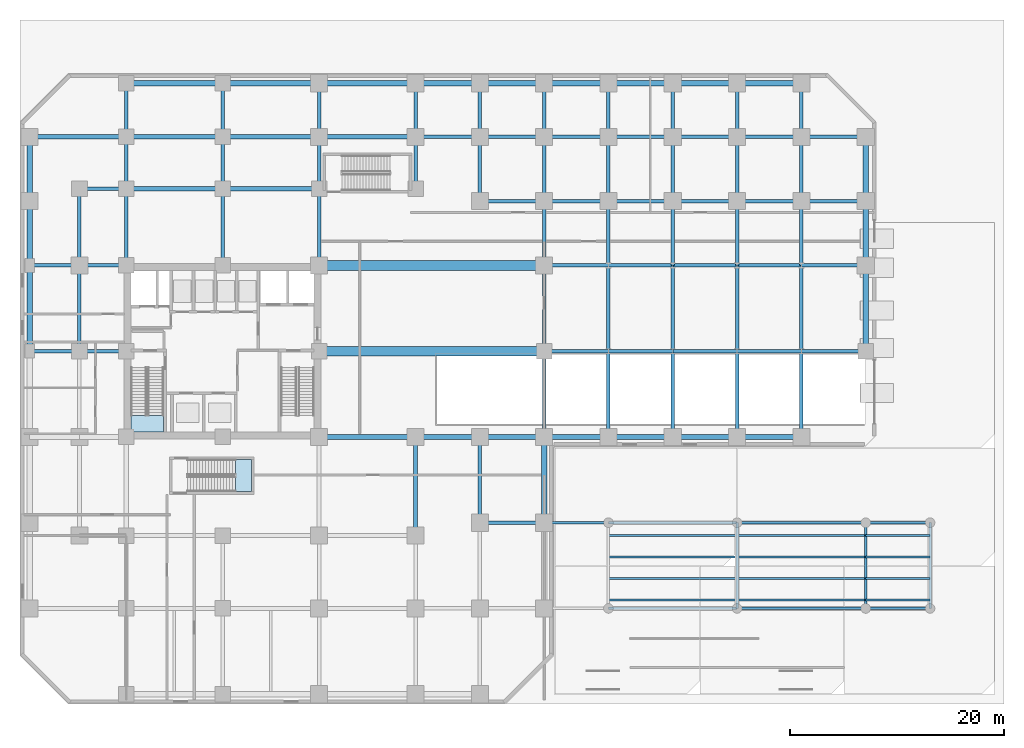
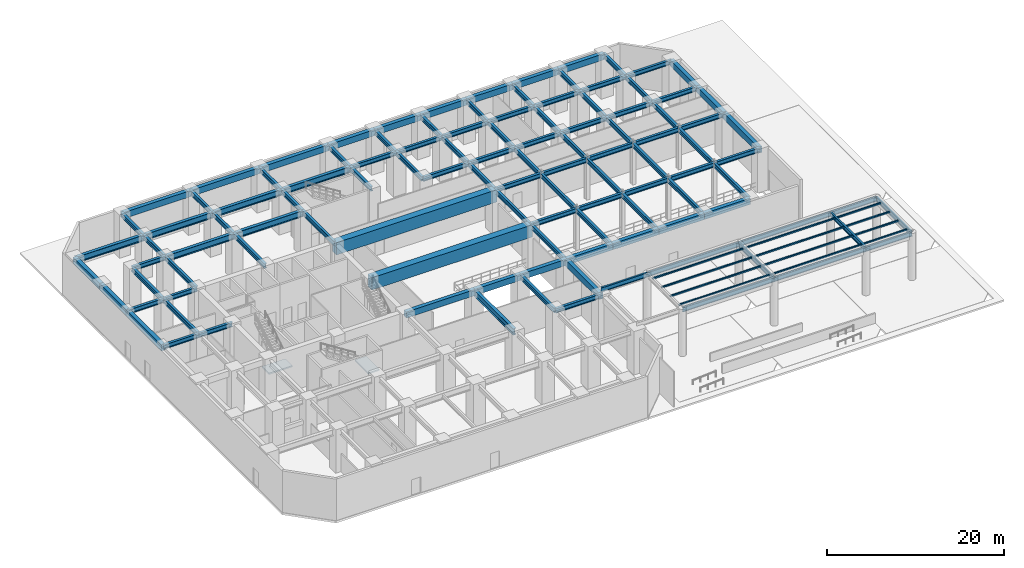
# One storey, part 2 of 13: 112 beams, 12 members, 2 slabs, 2 elements without a shape of their own.
"""IFC4 building model written with IfcOpenShell, lengths in metres."""

from ifc_helpers import new_model, si_unit, direction, frame, origin, origin_2d, place, context, subcontext, project, spatial, polyline, rectangle, hollow_rectangle, i_section, outline, extrude, source, transform, mapped, material, layer, layer_set, material_profile, profile_set, type_object, element, aggregate, save


model = new_model("IFC4")

# Units and contexts
model_context = context("Model", 3, precision=1e-05, world=origin(), true_north=direction((0.0, 1.0)))
body_context = subcontext(model_context, "Body", "Model", "MODEL_VIEW")
ifc_project = project(units=[si_unit("LENGTHUNIT", "METRE"), si_unit("AREAUNIT", "SQUARE_METRE"), si_unit("VOLUMEUNIT", "CUBIC_METRE"), si_unit("PLANEANGLEUNIT", "RADIAN"), si_unit("MASSUNIT", "GRAM", prefix="KILO")], contexts=[model_context])

# Site, building, storey
site_placement = place(None, origin())
site = spatial("IfcSite", under=ifc_project, at=site_placement, CompositionType="ELEMENT")
building_placement = place(site_placement, origin())
building = spatial("IfcBuilding", under=site, at=building_placement, Name="Torre Montelarca", CompositionType="ELEMENT")
storey_placement = place(building_placement, origin())
storey = spatial("IfcBuildingStorey", under=building, at=storey_placement, Name="L01", CompositionType="ELEMENT", Elevation=0.0)

# Beams
ifc_material_1 = material(Name="Steel ASTM A992 Grade 50", Category="steel")
ifc_material_profile_1 = material_profile(ifc_material_1, i_section(OverallWidth=0.22998046875, OverallDepth=0.616943359375, WebThickness=0.01318359375, FlangeThickness=0.022216796875, FilletRadius=0.014892578125, at=origin_2d()), Name="W610X140", Category="steel")
ifc_profile_set_1 = profile_set([ifc_material_profile_1], Name="Steel ASTM A992 Grade 50")
beam_type_1 = type_object("IfcBeamType", Name="BM-G-W610-EXT", PredefinedType="BEAM", material=ifc_profile_set_1)
shared_shape_1 = source(origin(), body_context, "Body", "SweptSolid", [
    extrude(i_section(OverallWidth=0.22998046875, OverallDepth=0.616943359375, WebThickness=0.01318359375, FlangeThickness=0.022216796875, FilletRadius=0.014892578125, at=origin_2d()), origin(), (0.0, 0.0, 1.0), 6.0),
])
for number, where, z_axis, x_axis, name in (
    (1, (78.0, 8.0, 6.19091796875), (1.0, 0.0, 0.0), (0.0, 1.0, 0.0), "L01 Grid Girder X 78.0-84.0 at Y=8.0"),
    (2, (48.0, 16.0, 6.19091796875), (1.0, 0.0, 0.0), (0.0, 1.0, 0.0), "L01 Grid Girder X 48.0-54.0 at Y=16.0"),
    (3, (78.0, 16.0, 6.19091796875), (1.0, 0.0, 0.0), (0.0, 1.0, 0.0), "L01 Grid Girder X 78.0-84.0 at Y=16.0"),
):
    element("IfcBeam", number, at=place(storey_placement, frame(where, z_axis=z_axis, x_axis=x_axis)), inside=storey, type_object=beam_type_1, Name=name, PredefinedType="BEAM", context=body_context, shape_type="MappedRepresentation", body=[
        mapped(shared_shape_1, transform((0.0, 0.0, 0.0), scale=1.0)),
    ])
shared_shape_2 = source(origin(), body_context, "Body", "SweptSolid", [
    extrude(i_section(OverallWidth=0.22998046875, OverallDepth=0.616943359375, WebThickness=0.01318359375, FlangeThickness=0.022216796875, FilletRadius=0.014892578125, at=origin_2d()), origin(), (0.0, 0.0, 1.0), 8.0),
])
for number, where, z_axis, x_axis, name in (
    (4, (66.0, 8.0, 6.19091796875), (0.0, 1.0, 0.0), (-1.0, 0.0, 0.0), "L01 Grid Girder Y 8.0-16.0 at X=66.0"),
    (5, (78.0, 8.0, 6.19091796875), (0.0, 1.0, 0.0), (-1.0, 0.0, 0.0), "L01 Grid Girder Y 8.0-16.0 at X=78.0"),
    (6, (84.0, 8.0, 6.19091796875), (0.0, 1.0, 0.0), (-1.0, 0.0, 0.0), "L01 Grid Girder Y 8.0-16.0 at X=84.0"),
):
    element("IfcBeam", number, at=place(storey_placement, frame(where, z_axis=z_axis, x_axis=x_axis)), inside=storey, type_object=beam_type_1, Name=name, PredefinedType="BEAM", context=body_context, shape_type="MappedRepresentation", body=[
        mapped(shared_shape_2, transform((0.0, 0.0, 0.0), scale=1.0)),
    ])
ifc_material_2 = material(Name="Concrete C55/67", Category="concrete")
ifc_material_profile_2 = material_profile(ifc_material_2, rectangle(XDim=0.5, YDim=0.85009765625, at=origin_2d()), Name="RCB500X850", Category="concrete")
ifc_profile_set_2 = profile_set([ifc_material_profile_2], Name="Concrete C55/67")
beam_type_2 = type_object("IfcBeamType", Name="BM-SP-RC850-EXT", PredefinedType="SPANDREL", material=ifc_profile_set_2)
shared_shape_3 = source(origin(), body_context, "Body", "SweptSolid", [
    extrude(rectangle(XDim=0.5, YDim=0.85009765625, at=origin_2d()), origin(), (0.0, 0.0, 1.0), 9.0),
])
for number, where, z_axis, x_axis, name in (
    (7, (27.0, 24.0, 5.31494140625), (1.0, 0.0, 0.0), (0.0, 1.0, 0.0), "L01 Grid Girder X 27.0-36.0 at Y=24.0"),
    (8, (9.0, 57.0, 5.31494140625), (1.0, 0.0, 0.0), (0.0, 1.0, 0.0), "L01 Grid Girder X 9.0-18.0 at Y=57.0"),
    (9, (18.0, 57.0, 5.31494140625), (1.0, 0.0, 0.0), (0.0, 1.0, 0.0), "L01 Grid Girder X 18.0-27.0 at Y=57.0"),
    (10, (27.0, 57.0, 5.31494140625), (1.0, 0.0, 0.0), (0.0, 1.0, 0.0), "L01 Grid Girder X 27.0-36.0 at Y=57.0"),
):
    element("IfcBeam", number, at=place(storey_placement, frame(where, z_axis=z_axis, x_axis=x_axis)), inside=storey, type_object=beam_type_2, Name=name, PredefinedType="SPANDREL", context=body_context, shape_type="MappedRepresentation", body=[
        mapped(shared_shape_3, transform((0.0, 0.0, 0.0), scale=1.0)),
    ])
shared_shape_4 = source(origin(), body_context, "Body", "SweptSolid", [
    extrude(rectangle(XDim=0.5, YDim=0.85009765625, at=origin_2d()), origin(), (0.0, 0.0, 1.0), 6.0),
])
for number, where, z_axis, x_axis, name in (
    (11, (36.0, 24.0, 5.31494140625), (1.0, 0.0, 0.0), (0.0, 1.0, 0.0), "L01 Grid Girder X 36.0-42.0 at Y=24.0"),
    (12, (42.0, 24.0, 5.31494140625), (1.0, 0.0, 0.0), (0.0, 1.0, 0.0), "L01 Grid Girder X 42.0-48.0 at Y=24.0"),
    (13, (48.0, 24.0, 5.31494140625), (1.0, 0.0, 0.0), (0.0, 1.0, 0.0), "L01 Grid Girder X 48.0-54.0 at Y=24.0"),
    (14, (54.0, 24.0, 5.31494140625), (1.0, 0.0, 0.0), (0.0, 1.0, 0.0), "L01 Grid Girder X 54.0-60.0 at Y=24.0"),
    (15, (60.0, 24.0, 5.31494140625), (1.0, 0.0, 0.0), (0.0, 1.0, 0.0), "L01 Grid Girder X 60.0-66.0 at Y=24.0"),
    (16, (66.0, 24.0, 5.31494140625), (1.0, 0.0, 0.0), (0.0, 1.0, 0.0), "L01 Grid Girder X 66.0-72.0 at Y=24.0"),
    (17, (36.0, 57.0, 5.31494140625), (1.0, 0.0, 0.0), (0.0, 1.0, 0.0), "L01 Grid Girder X 36.0-42.0 at Y=57.0"),
    (18, (42.0, 57.0, 5.31494140625), (1.0, 0.0, 0.0), (0.0, 1.0, 0.0), "L01 Grid Girder X 42.0-48.0 at Y=57.0"),
    (19, (48.0, 57.0, 5.31494140625), (1.0, 0.0, 0.0), (0.0, 1.0, 0.0), "L01 Grid Girder X 48.0-54.0 at Y=57.0"),
    (20, (54.0, 57.0, 5.31494140625), (1.0, 0.0, 0.0), (0.0, 1.0, 0.0), "L01 Grid Girder X 54.0-60.0 at Y=57.0"),
    (21, (60.0, 57.0, 5.31494140625), (1.0, 0.0, 0.0), (0.0, 1.0, 0.0), "L01 Grid Girder X 60.0-66.0 at Y=57.0"),
    (22, (66.0, 57.0, 5.31494140625), (1.0, 0.0, 0.0), (0.0, 1.0, 0.0), "L01 Grid Girder X 66.0-72.0 at Y=57.0"),
    (23, (0.0, 40.0, 5.31494140625), (0.0, 1.0, 0.0), (-1.0, 0.0, 0.0), "L01 Grid Girder Y 40.0-46.0 at X=0.0"),
    (24, (0.0, 46.0, 5.31494140625), (0.0, 1.0, 0.0), (-1.0, 0.0, 0.0), "L01 Grid Girder Y 46.0-52.0 at X=0.0"),
    (25, (78.0, 40.0, 5.31494140625), (0.0, 1.0, 0.0), (-1.0, 0.0, 0.0), "L01 Grid Girder Y 40.0-46.0 at X=78.0"),
    (26, (78.0, 46.0, 5.31494140625), (0.0, 1.0, 0.0), (-1.0, 0.0, 0.0), "L01 Grid Girder Y 46.0-52.0 at X=78.0"),
):
    element("IfcBeam", number, at=place(storey_placement, frame(where, z_axis=z_axis, x_axis=x_axis)), inside=storey, type_object=beam_type_2, Name=name, PredefinedType="SPANDREL", context=body_context, shape_type="MappedRepresentation", body=[
        mapped(shared_shape_4, transform((0.0, 0.0, 0.0), scale=1.0)),
    ])
ifc_material_profile_3 = material_profile(ifc_material_1, i_section(OverallWidth=0.39990234375, OverallDepth=0.85498046875, WebThickness=0.018310546875, FlangeThickness=0.029296875, FilletRadius=0.02001953125, at=origin_2d()), Name="W840X299", Category="steel")
ifc_profile_set_3 = profile_set([ifc_material_profile_3], Name="Steel ASTM A992 Grade 50")
beam_type_3 = type_object("IfcBeamType", Name="BM-G-W840", PredefinedType="BEAM", material=ifc_profile_set_3)
shared_shape_5 = source(origin(), body_context, "Body", "SweptSolid", [
    extrude(i_section(OverallWidth=0.39990234375, OverallDepth=0.85498046875, WebThickness=0.018310546875, FlangeThickness=0.029296875, FilletRadius=0.02001953125, at=origin_2d()), origin(), (0.0, 0.0, 1.0), 9.0),
])
for number, where, z_axis, x_axis, name in (
    (27, (9.0, 47.14990234375, 5.31201171875), (1.0, 0.0, 0.0), (0.0, 1.0, 0.0), "L01 Grid Girder X 9.0-18.0 at Y=47.1"),
    (28, (18.0, 47.14990234375, 5.31201171875), (1.0, 0.0, 0.0), (0.0, 1.0, 0.0), "L01 Grid Girder X 18.0-27.0 at Y=47.1"),
    (29, (0.0, 52.0, 5.31201171875), (1.0, 0.0, 0.0), (0.0, 1.0, 0.0), "L01 Grid Girder X 0.0-9.0 at Y=52.0"),
    (30, (9.0, 52.0, 5.31201171875), (1.0, 0.0, 0.0), (0.0, 1.0, 0.0), "L01 Grid Girder X 9.0-18.0 at Y=52.0"),
    (31, (18.0, 52.0, 5.31201171875), (1.0, 0.0, 0.0), (0.0, 1.0, 0.0), "L01 Grid Girder X 18.0-27.0 at Y=52.0"),
    (32, (27.0, 52.0, 5.31201171875), (1.0, 0.0, 0.0), (0.0, 1.0, 0.0), "L01 Grid Girder X 27.0-36.0 at Y=52.0"),
):
    element("IfcBeam", number, at=place(storey_placement, frame(where, z_axis=z_axis, x_axis=x_axis)), inside=storey, type_object=beam_type_3, Name=name, PredefinedType="BEAM", context=body_context, shape_type="MappedRepresentation", body=[
        mapped(shared_shape_5, transform((0.0, 0.0, 0.0), scale=1.0)),
    ])
ifc_material_profile_4 = material_profile(ifc_material_1, i_section(OverallWidth=0.326904296875, OverallDepth=0.6220703125, WebThickness=0.015380859375, FlangeThickness=0.0244140625, FilletRadius=0.014892578125, at=origin_2d()), Name="W610X195", Category="steel")
ifc_profile_set_4 = profile_set([ifc_material_profile_4], Name="Steel ASTM A992 Grade 50")
beam_type_4 = type_object("IfcBeamType", Name="BM-G-W610H", PredefinedType="BEAM", material=ifc_profile_set_4)
shared_shape_6 = source(origin(), body_context, "Body", "SweptSolid", [
    extrude(i_section(OverallWidth=0.326904296875, OverallDepth=0.6220703125, WebThickness=0.015380859375, FlangeThickness=0.0244140625, FilletRadius=0.014892578125, at=origin_2d()), origin(), (0.0, 0.0, 1.0), 6.0),
])
for number, where, z_axis, x_axis, name in (
    (33, (42.0, 16.0, 5.428955078125), (1.0, 0.0, 0.0), (0.0, 1.0, 0.0), "L01 Grid Girder X 42.0-48.0 at Y=16.0"),
    (34, (48.0, 32.0, 5.428955078125), (1.0, 0.0, 0.0), (0.0, 1.0, 0.0), "L01 Grid Girder X 48.0-54.0 at Y=32.0"),
    (35, (54.0, 32.0, 5.428955078125), (1.0, 0.0, 0.0), (0.0, 1.0, 0.0), "L01 Grid Girder X 54.0-60.0 at Y=32.0"),
    (36, (60.0, 32.0, 5.428955078125), (1.0, 0.0, 0.0), (0.0, 1.0, 0.0), "L01 Grid Girder X 60.0-66.0 at Y=32.0"),
    (37, (66.0, 32.0, 5.428955078125), (1.0, 0.0, 0.0), (0.0, 1.0, 0.0), "L01 Grid Girder X 66.0-72.0 at Y=32.0"),
    (38, (72.0, 32.0, 5.428955078125), (1.0, 0.0, 0.0), (0.0, 1.0, 0.0), "L01 Grid Girder X 72.0-78.0 at Y=32.0"),
    (39, (48.0, 40.0, 5.428955078125), (1.0, 0.0, 0.0), (0.0, 1.0, 0.0), "L01 Grid Girder X 48.0-54.0 at Y=40.0"),
    (40, (54.0, 40.0, 5.428955078125), (1.0, 0.0, 0.0), (0.0, 1.0, 0.0), "L01 Grid Girder X 54.0-60.0 at Y=40.0"),
    (41, (60.0, 40.0, 5.428955078125), (1.0, 0.0, 0.0), (0.0, 1.0, 0.0), "L01 Grid Girder X 60.0-66.0 at Y=40.0"),
    (42, (66.0, 40.0, 5.428955078125), (1.0, 0.0, 0.0), (0.0, 1.0, 0.0), "L01 Grid Girder X 66.0-72.0 at Y=40.0"),
    (43, (72.0, 40.0, 5.428955078125), (1.0, 0.0, 0.0), (0.0, 1.0, 0.0), "L01 Grid Girder X 72.0-78.0 at Y=40.0"),
    (44, (42.0, 46.0, 5.428955078125), (1.0, 0.0, 0.0), (0.0, 1.0, 0.0), "L01 Grid Girder X 42.0-48.0 at Y=46.0"),
    (45, (48.0, 46.0, 5.428955078125), (1.0, 0.0, 0.0), (0.0, 1.0, 0.0), "L01 Grid Girder X 48.0-54.0 at Y=46.0"),
    (46, (54.0, 46.0, 5.428955078125), (1.0, 0.0, 0.0), (0.0, 1.0, 0.0), "L01 Grid Girder X 54.0-60.0 at Y=46.0"),
    (47, (60.0, 46.0, 5.428955078125), (1.0, 0.0, 0.0), (0.0, 1.0, 0.0), "L01 Grid Girder X 60.0-66.0 at Y=46.0"),
    (48, (66.0, 46.0, 5.428955078125), (1.0, 0.0, 0.0), (0.0, 1.0, 0.0), "L01 Grid Girder X 66.0-72.0 at Y=46.0"),
    (49, (72.0, 46.0, 5.428955078125), (1.0, 0.0, 0.0), (0.0, 1.0, 0.0), "L01 Grid Girder X 72.0-78.0 at Y=46.0"),
    (50, (36.0, 52.0, 5.428955078125), (1.0, 0.0, 0.0), (0.0, 1.0, 0.0), "L01 Grid Girder X 36.0-42.0 at Y=52.0"),
    (51, (42.0, 52.0, 5.428955078125), (1.0, 0.0, 0.0), (0.0, 1.0, 0.0), "L01 Grid Girder X 42.0-48.0 at Y=52.0"),
    (52, (48.0, 52.0, 5.428955078125), (1.0, 0.0, 0.0), (0.0, 1.0, 0.0), "L01 Grid Girder X 48.0-54.0 at Y=52.0"),
    (53, (54.0, 52.0, 5.428955078125), (1.0, 0.0, 0.0), (0.0, 1.0, 0.0), "L01 Grid Girder X 54.0-60.0 at Y=52.0"),
    (54, (60.0, 52.0, 5.428955078125), (1.0, 0.0, 0.0), (0.0, 1.0, 0.0), "L01 Grid Girder X 60.0-66.0 at Y=52.0"),
    (55, (66.0, 52.0, 5.428955078125), (1.0, 0.0, 0.0), (0.0, 1.0, 0.0), "L01 Grid Girder X 66.0-72.0 at Y=52.0"),
    (56, (72.0, 52.0, 5.428955078125), (1.0, 0.0, 0.0), (0.0, 1.0, 0.0), "L01 Grid Girder X 72.0-78.0 at Y=52.0"),
    (57, (42.0, 46.0, 5.428955078125), (0.0, 1.0, 0.0), (-1.0, 0.0, 0.0), "L01 Grid Girder Y 46.0-52.0 at X=42.0"),
    (58, (48.0, 40.0, 5.428955078125), (0.0, 1.0, 0.0), (-1.0, 0.0, 0.0), "L01 Grid Girder Y 40.0-46.0 at X=48.0"),
    (59, (48.0, 46.0, 5.428955078125), (0.0, 1.0, 0.0), (-1.0, 0.0, 0.0), "L01 Grid Girder Y 46.0-52.0 at X=48.0"),
    (60, (54.0, 40.0, 5.428955078125), (0.0, 1.0, 0.0), (-1.0, 0.0, 0.0), "L01 Grid Girder Y 40.0-46.0 at X=54.0"),
    (61, (54.0, 46.0, 5.428955078125), (0.0, 1.0, 0.0), (-1.0, 0.0, 0.0), "L01 Grid Girder Y 46.0-52.0 at X=54.0"),
    (62, (60.0, 40.0, 5.428955078125), (0.0, 1.0, 0.0), (-1.0, 0.0, 0.0), "L01 Grid Girder Y 40.0-46.0 at X=60.0"),
    (63, (60.0, 46.0, 5.428955078125), (0.0, 1.0, 0.0), (-1.0, 0.0, 0.0), "L01 Grid Girder Y 46.0-52.0 at X=60.0"),
    (64, (66.0, 40.0, 5.428955078125), (0.0, 1.0, 0.0), (-1.0, 0.0, 0.0), "L01 Grid Girder Y 40.0-46.0 at X=66.0"),
    (65, (66.0, 46.0, 5.428955078125), (0.0, 1.0, 0.0), (-1.0, 0.0, 0.0), "L01 Grid Girder Y 46.0-52.0 at X=66.0"),
    (66, (72.0, 40.0, 5.428955078125), (0.0, 1.0, 0.0), (-1.0, 0.0, 0.0), "L01 Grid Girder Y 40.0-46.0 at X=72.0"),
    (67, (72.0, 46.0, 5.428955078125), (0.0, 1.0, 0.0), (-1.0, 0.0, 0.0), "L01 Grid Girder Y 46.0-52.0 at X=72.0"),
):
    element("IfcBeam", number, at=place(storey_placement, frame(where, z_axis=z_axis, x_axis=x_axis)), inside=storey, type_object=beam_type_4, Name=name, PredefinedType="BEAM", context=body_context, shape_type="MappedRepresentation", body=[
        mapped(shared_shape_6, transform((0.0, 0.0, 0.0), scale=1.0)),
    ])
shared_shape_7 = source(origin(), body_context, "Body", "SweptSolid", [
    extrude(i_section(OverallWidth=0.326904296875, OverallDepth=0.6220703125, WebThickness=0.015380859375, FlangeThickness=0.0244140625, FilletRadius=0.014892578125, at=origin_2d()), origin(), (0.0, 0.0, 1.0), 4.35009765625),
])
for number, where, z_axis, x_axis, name in (
    (68, (4.64990234375, 32.0, 5.428955078125), (1.0, 0.0, 0.0), (0.0, 1.0, 0.0), "L01 Grid Girder X 4.7-9.0 at Y=32.0"),
    (69, (4.64990234375, 40.0, 5.428955078125), (1.0, 0.0, 0.0), (0.0, 1.0, 0.0), "L01 Grid Girder X 4.7-9.0 at Y=40.0"),
    (70, (4.64990234375, 47.14990234375, 5.428955078125), (1.0, 0.0, 0.0), (0.0, 1.0, 0.0), "L01 Grid Girder X 4.7-9.0 at Y=47.1"),
):
    element("IfcBeam", number, at=place(storey_placement, frame(where, z_axis=z_axis, x_axis=x_axis)), inside=storey, type_object=beam_type_4, Name=name, PredefinedType="BEAM", context=body_context, shape_type="MappedRepresentation", body=[
        mapped(shared_shape_7, transform((0.0, 0.0, 0.0), scale=1.0)),
    ])
shared_shape_8 = source(origin(), body_context, "Body", "SweptSolid", [
    extrude(i_section(OverallWidth=0.326904296875, OverallDepth=0.6220703125, WebThickness=0.015380859375, FlangeThickness=0.0244140625, FilletRadius=0.014892578125, at=origin_2d()), origin(), (0.0, 0.0, 1.0), 4.64990234375),
])
for number, where, z_axis, x_axis, name in (
    (71, (0.0, 32.0, 5.428955078125), (1.0, 0.0, 0.0), (0.0, 1.0, 0.0), "L01 Grid Girder X 0.0-4.7 at Y=32.0"),
    (72, (0.0, 40.0, 5.428955078125), (1.0, 0.0, 0.0), (0.0, 1.0, 0.0), "L01 Grid Girder X 0.0-4.7 at Y=40.0"),
):
    element("IfcBeam", number, at=place(storey_placement, frame(where, z_axis=z_axis, x_axis=x_axis)), inside=storey, type_object=beam_type_4, Name=name, PredefinedType="BEAM", context=body_context, shape_type="MappedRepresentation", body=[
        mapped(shared_shape_8, transform((0.0, 0.0, 0.0), scale=1.0)),
    ])
shared_shape_9 = source(origin(), body_context, "Body", "SweptSolid", [
    extrude(rectangle(XDim=0.5, YDim=0.85009765625, at=origin_2d()), origin(), (0.0, 0.0, 1.0), 8.0),
])
for number, where, z_axis, x_axis, name in (
    (73, (0.0, 32.0, 5.31494140625), (0.0, 1.0, 0.0), (-1.0, 0.0, 0.0), "L01 Grid Girder Y 32.0-40.0 at X=0.0"),
    (74, (48.0, 16.0, 5.31494140625), (0.0, 1.0, 0.0), (-1.0, 0.0, 0.0), "L01 Grid Girder Y 16.0-24.0 at X=48.0"),
    (75, (78.0, 32.0, 5.31494140625), (0.0, 1.0, 0.0), (-1.0, 0.0, 0.0), "L01 Grid Girder Y 32.0-40.0 at X=78.0"),
):
    element("IfcBeam", number, at=place(storey_placement, frame(where, z_axis=z_axis, x_axis=x_axis)), inside=storey, type_object=beam_type_2, Name=name, PredefinedType="SPANDREL", context=body_context, shape_type="MappedRepresentation", body=[
        mapped(shared_shape_9, transform((0.0, 0.0, 0.0), scale=1.0)),
    ])
shared_shape_10 = source(origin(), body_context, "Body", "SweptSolid", [
    extrude(i_section(OverallWidth=0.39990234375, OverallDepth=0.85498046875, WebThickness=0.018310546875, FlangeThickness=0.029296875, FilletRadius=0.02001953125, at=origin_2d()), origin(), (0.0, 0.0, 1.0), 9.199951171875),
])
beam_placement = place(storey_placement, frame((36.0, 14.800048828125, 5.31201171875), z_axis=(0.0, 1.0, 0.0), x_axis=(-1.0, 0.0, 0.0)))
element("IfcBeam", 76, at=beam_placement, inside=storey, type_object=beam_type_3, Name="L01 Grid Girder Y 14.8-24.0 at X=36.0", PredefinedType="BEAM", context=body_context, shape_type="MappedRepresentation", body=[
    mapped(shared_shape_10, transform((0.0, 0.0, 0.0), scale=1.0)),
])
shared_shape_11 = source(origin(), body_context, "Body", "SweptSolid", [
    extrude(i_section(OverallWidth=0.326904296875, OverallDepth=0.6220703125, WebThickness=0.015380859375, FlangeThickness=0.0244140625, FilletRadius=0.014892578125, at=origin_2d()), origin(), (0.0, 0.0, 1.0), 8.0),
])
for number, where, z_axis, x_axis, name in (
    (77, (4.64990234375, 32.0, 5.428955078125), (0.0, 1.0, 0.0), (-1.0, 0.0, 0.0), "L01 Grid Girder Y 32.0-40.0 at X=4.7"),
    (78, (42.0, 16.0, 5.428955078125), (0.0, 1.0, 0.0), (-1.0, 0.0, 0.0), "L01 Grid Girder Y 16.0-24.0 at X=42.0"),
    (79, (48.0, 24.0, 5.428955078125), (0.0, 1.0, 0.0), (-1.0, 0.0, 0.0), "L01 Grid Girder Y 24.0-32.0 at X=48.0"),
    (80, (48.0, 32.0, 5.428955078125), (0.0, 1.0, 0.0), (-1.0, 0.0, 0.0), "L01 Grid Girder Y 32.0-40.0 at X=48.0"),
    (81, (54.0, 24.0, 5.428955078125), (0.0, 1.0, 0.0), (-1.0, 0.0, 0.0), "L01 Grid Girder Y 24.0-32.0 at X=54.0"),
    (82, (54.0, 32.0, 5.428955078125), (0.0, 1.0, 0.0), (-1.0, 0.0, 0.0), "L01 Grid Girder Y 32.0-40.0 at X=54.0"),
    (83, (60.0, 24.0, 5.428955078125), (0.0, 1.0, 0.0), (-1.0, 0.0, 0.0), "L01 Grid Girder Y 24.0-32.0 at X=60.0"),
    (84, (60.0, 32.0, 5.428955078125), (0.0, 1.0, 0.0), (-1.0, 0.0, 0.0), "L01 Grid Girder Y 32.0-40.0 at X=60.0"),
    (85, (66.0, 24.0, 5.428955078125), (0.0, 1.0, 0.0), (-1.0, 0.0, 0.0), "L01 Grid Girder Y 24.0-32.0 at X=66.0"),
    (86, (66.0, 32.0, 5.428955078125), (0.0, 1.0, 0.0), (-1.0, 0.0, 0.0), "L01 Grid Girder Y 32.0-40.0 at X=66.0"),
    (87, (72.0, 24.0, 5.428955078125), (0.0, 1.0, 0.0), (-1.0, 0.0, 0.0), "L01 Grid Girder Y 24.0-32.0 at X=72.0"),
    (88, (72.0, 32.0, 5.428955078125), (0.0, 1.0, 0.0), (-1.0, 0.0, 0.0), "L01 Grid Girder Y 32.0-40.0 at X=72.0"),
):
    element("IfcBeam", number, at=place(storey_placement, frame(where, z_axis=z_axis, x_axis=x_axis)), inside=storey, type_object=beam_type_4, Name=name, PredefinedType="BEAM", context=body_context, shape_type="MappedRepresentation", body=[
        mapped(shared_shape_11, transform((0.0, 0.0, 0.0), scale=1.0)),
    ])
shared_shape_12 = source(origin(), body_context, "Body", "SweptSolid", [
    extrude(i_section(OverallWidth=0.326904296875, OverallDepth=0.6220703125, WebThickness=0.015380859375, FlangeThickness=0.0244140625, FilletRadius=0.014892578125, at=origin_2d()), origin(), (0.0, 0.0, 1.0), 7.14990234375),
])
for number, where, z_axis, x_axis, name in (
    (89, (4.64990234375, 40.0, 5.428955078125), (0.0, 1.0, 0.0), (-1.0, 0.0, 0.0), "L01 Grid Girder Y 40.0-47.1 at X=4.7"),
    (90, (9.0, 40.0, 5.428955078125), (0.0, 1.0, 0.0), (-1.0, 0.0, 0.0), "L01 Grid Girder Y 40.0-47.1 at X=9.0"),
    (91, (18.0, 40.0, 5.428955078125), (0.0, 1.0, 0.0), (-1.0, 0.0, 0.0), "L01 Grid Girder Y 40.0-47.1 at X=18.0"),
    (92, (27.0, 40.0, 5.428955078125), (0.0, 1.0, 0.0), (-1.0, 0.0, 0.0), "L01 Grid Girder Y 40.0-47.1 at X=27.0"),
):
    element("IfcBeam", number, at=place(storey_placement, frame(where, z_axis=z_axis, x_axis=x_axis)), inside=storey, type_object=beam_type_4, Name=name, PredefinedType="BEAM", context=body_context, shape_type="MappedRepresentation", body=[
        mapped(shared_shape_12, transform((0.0, 0.0, 0.0), scale=1.0)),
    ])
shared_shape_13 = source(origin(), body_context, "Body", "SweptSolid", [
    extrude(i_section(OverallWidth=0.326904296875, OverallDepth=0.6220703125, WebThickness=0.015380859375, FlangeThickness=0.0244140625, FilletRadius=0.014892578125, at=origin_2d()), origin(), (0.0, 0.0, 1.0), 4.85009765625),
])
for number, where, z_axis, x_axis, name in (
    (93, (9.0, 47.14990234375, 5.428955078125), (0.0, 1.0, 0.0), (-1.0, 0.0, 0.0), "L01 Grid Girder Y 47.1-52.0 at X=9.0"),
    (94, (18.0, 47.14990234375, 5.428955078125), (0.0, 1.0, 0.0), (-1.0, 0.0, 0.0), "L01 Grid Girder Y 47.1-52.0 at X=18.0"),
    (95, (27.0, 47.14990234375, 5.428955078125), (0.0, 1.0, 0.0), (-1.0, 0.0, 0.0), "L01 Grid Girder Y 47.1-52.0 at X=27.0"),
    (96, (36.0, 47.14990234375, 5.428955078125), (0.0, 1.0, 0.0), (-1.0, 0.0, 0.0), "L01 Grid Girder Y 47.1-52.0 at X=36.0"),
):
    element("IfcBeam", number, at=place(storey_placement, frame(where, z_axis=z_axis, x_axis=x_axis)), inside=storey, type_object=beam_type_4, Name=name, PredefinedType="BEAM", context=body_context, shape_type="MappedRepresentation", body=[
        mapped(shared_shape_13, transform((0.0, 0.0, 0.0), scale=1.0)),
    ])
shared_shape_14 = source(origin(), body_context, "Body", "SweptSolid", [
    extrude(i_section(OverallWidth=0.326904296875, OverallDepth=0.6220703125, WebThickness=0.015380859375, FlangeThickness=0.0244140625, FilletRadius=0.014892578125, at=origin_2d()), origin(), (0.0, 0.0, 1.0), 5.0),
])
for number, where, z_axis, x_axis, name in (
    (97, (9.0, 52.0, 5.428955078125), (0.0, 1.0, 0.0), (-1.0, 0.0, 0.0), "L01 Grid Girder Y 52.0-57.0 at X=9.0"),
    (98, (18.0, 52.0, 5.428955078125), (0.0, 1.0, 0.0), (-1.0, 0.0, 0.0), "L01 Grid Girder Y 52.0-57.0 at X=18.0"),
    (99, (27.0, 52.0, 5.428955078125), (0.0, 1.0, 0.0), (-1.0, 0.0, 0.0), "L01 Grid Girder Y 52.0-57.0 at X=27.0"),
    (100, (36.0, 52.0, 5.428955078125), (0.0, 1.0, 0.0), (-1.0, 0.0, 0.0), "L01 Grid Girder Y 52.0-57.0 at X=36.0"),
    (101, (42.0, 52.0, 5.428955078125), (0.0, 1.0, 0.0), (-1.0, 0.0, 0.0), "L01 Grid Girder Y 52.0-57.0 at X=42.0"),
    (102, (48.0, 52.0, 5.428955078125), (0.0, 1.0, 0.0), (-1.0, 0.0, 0.0), "L01 Grid Girder Y 52.0-57.0 at X=48.0"),
    (103, (54.0, 52.0, 5.428955078125), (0.0, 1.0, 0.0), (-1.0, 0.0, 0.0), "L01 Grid Girder Y 52.0-57.0 at X=54.0"),
    (104, (60.0, 52.0, 5.428955078125), (0.0, 1.0, 0.0), (-1.0, 0.0, 0.0), "L01 Grid Girder Y 52.0-57.0 at X=60.0"),
    (105, (66.0, 52.0, 5.428955078125), (0.0, 1.0, 0.0), (-1.0, 0.0, 0.0), "L01 Grid Girder Y 52.0-57.0 at X=66.0"),
    (106, (72.0, 52.0, 5.428955078125), (0.0, 1.0, 0.0), (-1.0, 0.0, 0.0), "L01 Grid Girder Y 52.0-57.0 at X=72.0"),
):
    element("IfcBeam", number, at=place(storey_placement, frame(where, z_axis=z_axis, x_axis=x_axis)), inside=storey, type_object=beam_type_4, Name=name, PredefinedType="BEAM", context=body_context, shape_type="MappedRepresentation", body=[
        mapped(shared_shape_14, transform((0.0, 0.0, 0.0), scale=1.0)),
    ])
ifc_material_profile_5 = material_profile(ifc_material_2, rectangle(XDim=0.89990234375, YDim=1.699951171875, at=origin_2d()), Name="RCB900X1700", Category="concrete")
ifc_profile_set_5 = profile_set([ifc_material_profile_5], Name="Concrete C55/67")
beam_type_5 = type_object("IfcBeamType", Name="BM-TB-RC1700", PredefinedType="T_BEAM", material=ifc_profile_set_5)
shared_shape_15 = source(origin(), body_context, "Body", "SweptSolid", [
    extrude(rectangle(XDim=0.89990234375, YDim=1.699951171875, at=origin_2d()), origin(), (0.0, 0.0, 1.0), 21.0),
])
for number, where, z_axis, x_axis, name in (
    (107, (27.0, 32.0, 4.889892578125), (1.0, 0.0, 0.0), (0.0, 1.0, 0.0), "L01 Long-Span Hall T-Beam Y=32m"),
    (108, (27.0, 40.0, 4.889892578125), (1.0, 0.0, 0.0), (0.0, 1.0, 0.0), "L01 Long-Span Hall T-Beam Y=40m"),
):
    element("IfcBeam", number, at=place(storey_placement, frame(where, z_axis=z_axis, x_axis=x_axis)), inside=storey, type_object=beam_type_5, Name=name, PredefinedType="T_BEAM", context=body_context, shape_type="MappedRepresentation", body=[
        mapped(shared_shape_15, transform((0.0, 0.0, 0.0), scale=1.0)),
    ])
shared_shape_16 = source(origin(), body_context, "Body", "SweptSolid", [
    extrude(i_section(OverallWidth=0.22998046875, OverallDepth=0.616943359375, WebThickness=0.01318359375, FlangeThickness=0.022216796875, FilletRadius=0.014892578125, at=origin_2d()), origin(), (0.0, 0.0, 1.0), 12.0),
])
for number, where, z_axis, x_axis, name in (
    (109, (54.0, 8.0, 6.19091796875), (1.0, 0.0, 0.0), (0.0, 1.0, 0.0), "L01 Grid Girder X 54.0-66.0 at Y=8.0"),
    (110, (66.0, 8.0, 6.19091796875), (1.0, 0.0, 0.0), (0.0, 1.0, 0.0), "L01 Grid Girder X 66.0-78.0 at Y=8.0"),
    (111, (54.0, 16.0, 6.19091796875), (1.0, 0.0, 0.0), (0.0, 1.0, 0.0), "L01 Grid Girder X 54.0-66.0 at Y=16.0"),
    (112, (66.0, 16.0, 6.19091796875), (1.0, 0.0, 0.0), (0.0, 1.0, 0.0), "L01 Grid Girder X 66.0-78.0 at Y=16.0"),
):
    element("IfcBeam", number, at=place(storey_placement, frame(where, z_axis=z_axis, x_axis=x_axis)), inside=storey, type_object=beam_type_1, Name=name, PredefinedType="BEAM", context=body_context, shape_type="MappedRepresentation", body=[
        mapped(shared_shape_16, transform((0.0, 0.0, 0.0), scale=1.0)),
    ])

# Members
ifc_material_3 = material(Name="Steel ASTM A500 Grade C", Category="steel")
ifc_material_profile_6 = material_profile(ifc_material_3, hollow_rectangle(XDim=0.203125, YDim=0.203125, WallThickness=0.0126953125, InnerFilletRadius=0.0126953125, OuterFilletRadius=0.025390625, at=origin_2d()), Name="HSS203X203X12.7", Category="steel")
ifc_profile_set_6 = profile_set([ifc_material_profile_6], Name="Steel ASTM A500 Grade C")
member_type = type_object("IfcMemberType", Name="MB-PU-HSS203-EXT", PredefinedType="PURLIN", material=ifc_profile_set_6)
shared_shape_17 = source(origin(), body_context, "Body", "SweptSolid", [
    extrude(hollow_rectangle(XDim=0.203125, YDim=0.203125, WallThickness=0.0126953125, InnerFilletRadius=0.0126953125, OuterFilletRadius=0.025390625, at=origin_2d()), origin(), (0.0, 0.0, 1.0), 12.0),
])
for number, where, z_axis, x_axis, name in (
    (113, (54.0, 8.800048828125, 6.35009765625), (1.0, 0.0, 0.0), (0.0, 1.0, 0.0), "Plaza Portal Pergola Purlin A-01"),
    (114, (66.0, 8.800048828125, 6.35009765625), (1.0, 0.0, 0.0), (0.0, 1.0, 0.0), "Plaza Portal Pergola Purlin B-01"),
    (115, (54.0, 10.800048828125, 6.35009765625), (1.0, 0.0, 0.0), (0.0, 1.0, 0.0), "Plaza Portal Pergola Purlin A-02"),
    (116, (66.0, 10.800048828125, 6.35009765625), (1.0, 0.0, 0.0), (0.0, 1.0, 0.0), "Plaza Portal Pergola Purlin B-02"),
    (117, (54.0, 12.800048828125, 6.35009765625), (1.0, 0.0, 0.0), (0.0, 1.0, 0.0), "Plaza Portal Pergola Purlin A-03"),
    (118, (66.0, 12.800048828125, 6.35009765625), (1.0, 0.0, 0.0), (0.0, 1.0, 0.0), "Plaza Portal Pergola Purlin B-03"),
    (119, (54.0, 14.800048828125, 6.35009765625), (1.0, 0.0, 0.0), (0.0, 1.0, 0.0), "Plaza Portal Pergola Purlin A-04"),
    (120, (66.0, 14.800048828125, 6.35009765625), (1.0, 0.0, 0.0), (0.0, 1.0, 0.0), "Plaza Portal Pergola Purlin B-04"),
):
    element("IfcMember", number, at=place(storey_placement, frame(where, z_axis=z_axis, x_axis=x_axis)), inside=storey, type_object=member_type, Name=name, PredefinedType="PURLIN", context=body_context, shape_type="MappedRepresentation", body=[
        mapped(shared_shape_17, transform((0.0, 0.0, 0.0), scale=1.0)),
    ])
shared_shape_18 = source(origin(), body_context, "Body", "SweptSolid", [
    extrude(hollow_rectangle(XDim=0.203125, YDim=0.203125, WallThickness=0.0126953125, InnerFilletRadius=0.0126953125, OuterFilletRadius=0.025390625, at=origin_2d()), origin(), (0.0, 0.0, 1.0), 6.0),
])
for number, where, z_axis, x_axis, name in (
    (121, (78.0, 8.800048828125, 6.35009765625), (1.0, 0.0, 0.0), (0.0, 1.0, 0.0), "Plaza Portal Pergola Purlin C-01"),
    (122, (78.0, 10.800048828125, 6.35009765625), (1.0, 0.0, 0.0), (0.0, 1.0, 0.0), "Plaza Portal Pergola Purlin C-02"),
    (123, (78.0, 12.800048828125, 6.35009765625), (1.0, 0.0, 0.0), (0.0, 1.0, 0.0), "Plaza Portal Pergola Purlin C-03"),
    (124, (78.0, 14.800048828125, 6.35009765625), (1.0, 0.0, 0.0), (0.0, 1.0, 0.0), "Plaza Portal Pergola Purlin C-04"),
):
    element("IfcMember", number, at=place(storey_placement, frame(where, z_axis=z_axis, x_axis=x_axis)), inside=storey, type_object=member_type, Name=name, PredefinedType="PURLIN", context=body_context, shape_type="MappedRepresentation", body=[
        mapped(shared_shape_18, transform((0.0, 0.0, 0.0), scale=1.0)),
    ])

# Stair, slab
ifc_material_4 = material(Name="Concrete C40/50", Category="concrete")
stair_type_1 = type_object("IfcStairType", Name="ST-CORE-ST1", PredefinedType="HALF_TURN_STAIR", material=ifc_material_4)
stair_1_placement = place(storey_placement, origin())
stair_1 = element("IfcStair", 125, at=stair_1_placement, inside=storey, type_object=stair_type_1, Name="L01 Protected Exit Stair ST1", PredefinedType="HALF_TURN_STAIR")
ifc_layer_1 = layer(ifc_material_4, 0.199951171875, Name="Concrete C40/50", Category="concrete")
ifc_layer_set_1 = layer_set([ifc_layer_1], Name="Concrete C40/50")
slab_type_1 = type_object("IfcSlabType", Name="SL-ST-LAND-ST1", PredefinedType="LANDING", material=ifc_layer_set_1)
slab_1_placement = place(storey_placement, frame((0.0, 0.0, 2.800048828125)))
slab_1 = element("IfcSlab", 126, at=slab_1_placement, type_object=slab_type_1, Name="ST1 landing 1", PredefinedType="LANDING", context=body_context, shape_type="SweptSolid", body=[
    extrude(outline(polyline([(9.449951171875, 26.02001953125), (9.449951171875, 24.449951171875), (12.5, 24.449951171875), (12.5, 26.02001953125), (9.449951171875, 26.02001953125)])), origin(), (0.0, 0.0, 1.0), 0.199951171875),
])
aggregate(stair_1, [slab_1])

stair_type_2 = type_object("IfcStairType", Name="ST-CORE-ST3", PredefinedType="HALF_TURN_STAIR", material=ifc_material_4)
stair_2_placement = place(storey_placement, origin())
stair_2 = element("IfcStair", 127, at=stair_2_placement, inside=storey, type_object=stair_type_2, Name="L01 Low-Rise Exit Stair ST3", PredefinedType="HALF_TURN_STAIR")
ifc_layer_2 = layer(ifc_material_4, 0.199951171875, Name="Concrete C40/50", Category="concrete")
ifc_layer_set_2 = layer_set([ifc_layer_2], Name="Concrete C40/50")
slab_type_2 = type_object("IfcSlabType", Name="SL-ST-LAND-ST3", PredefinedType="LANDING", material=ifc_layer_set_2)
slab_2_placement = place(storey_placement, frame((0.0, 0.0, 2.800048828125)))
slab_2 = element("IfcSlab", 128, at=slab_2_placement, type_object=slab_type_2, Name="ST3 landing 1", PredefinedType="LANDING", context=body_context, shape_type="SweptSolid", body=[
    extrude(outline(polyline([(19.199951171875, 18.89990234375), (20.699951171875, 18.89990234375), (20.699951171875, 21.889892578125), (19.199951171875, 21.889892578125), (19.199951171875, 18.89990234375)])), origin(), (0.0, 0.0, 1.0), 0.199951171875),
])
aggregate(stair_2, [slab_2])

save(model, "model.ifc")
